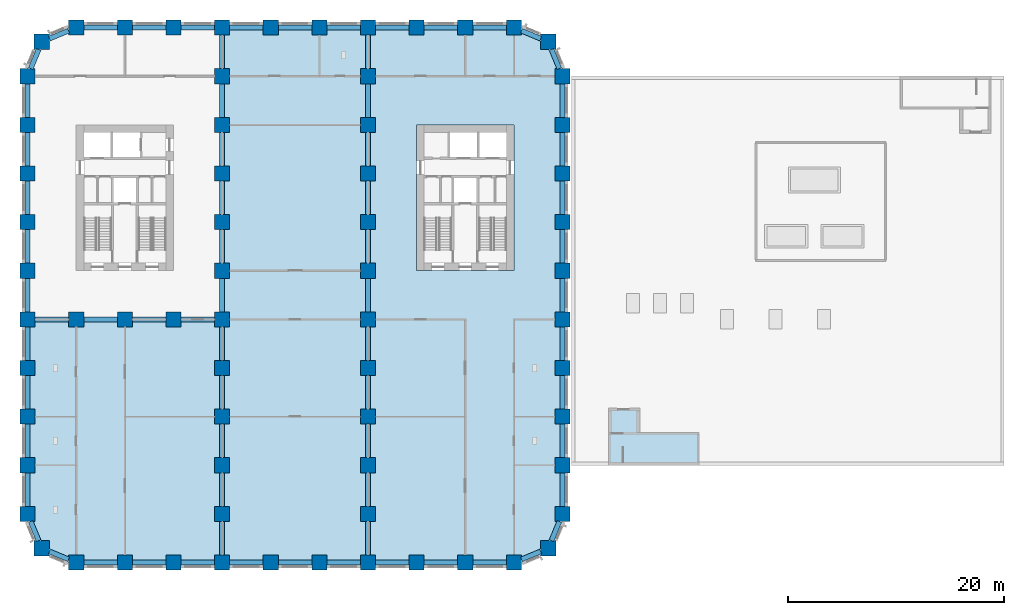
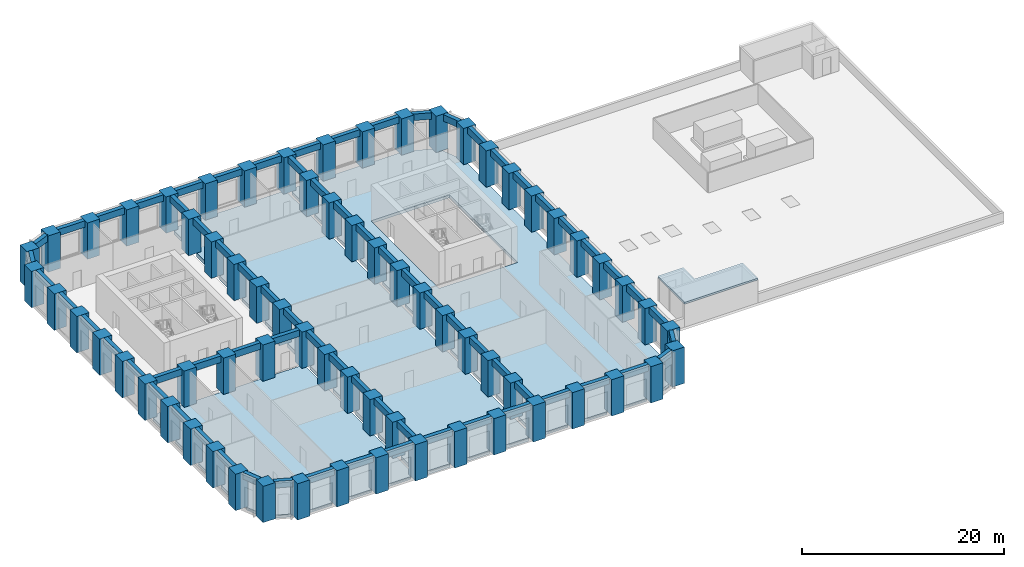
# One storey, part 1 of 14: 70 beams, 67 columns, 4 slabs.
"""IFC4 building model written with IfcOpenShell, lengths in metres."""

import ifcopenshell
import ifcopenshell.guid

model = None  # the IFC model being written
_history = None  # IfcOwnerHistory: only IFC2X3 demands one
_inside = {}  # id of a spatial element -> (the spatial element, [elements in it])
_under = {}  # id of a project, library or spatial element -> (it, [spatial elements below it])
_declared = {}  # id of a project -> (the project, [libraries it declares])
_typed = {}  # id of a type object -> (the type object, [elements of that type])
_made_of = {}  # id of a material, layer set ... -> (it, [elements and type objects made of it])


def new_model(schema):
    """Start an empty IFC model of exactly this schema.

    Asked for "IFC4X3", IfcOpenShell would pick the latest addendum, in which some entities
    have other attributes; the version numbers below select the first issue.
    IFC2X3 requires an IfcOwnerHistory on every rooted entity: one is made here for all.
    """
    global model, _history
    if schema == "IFC4X3":
        model = ifcopenshell.file(schema_version=(4, 3, 0, 0))
    else:
        model = ifcopenshell.file(schema=schema)
    _inside.clear()
    _under.clear()
    _declared.clear()
    _typed.clear()
    _made_of.clear()
    _history = None
    if model.schema == "IFC2X3":
        org = make("IfcOrganization", Name="unknown")
        user = make(
            "IfcPersonAndOrganization",
            ThePerson=make("IfcPerson", FamilyName="unknown"),
            TheOrganization=org,
        )
        app = make(
            "IfcApplication",
            ApplicationDeveloper=org,
            Version="unknown",
            ApplicationFullName="unknown",
            ApplicationIdentifier="unknown",
        )
        _history = make(
            "IfcOwnerHistory",
            OwningUser=user,
            OwningApplication=app,
            ChangeAction="ADDED",
            CreationDate=0,
        )
    return model


def make(cls, **values):
    """One entity of the class cls with the attributes given. An attribute that is None is left unset."""
    return model.create_entity(
        cls, **{name: value for name, value in values.items() if value is not None}
    )


def rooted(cls, **values):
    """An entity with a GlobalId (a new one), such as an element, a storey or a relation."""
    return make(cls, GlobalId=ifcopenshell.guid.new(), OwnerHistory=_history, **values)


def si_unit(unit_type, name, prefix=None):
    """IfcSIUnit, for example si_unit("LENGTHUNIT", "METRE", prefix="MILLI")."""
    return make("IfcSIUnit", UnitType=unit_type, Prefix=prefix, Name=name)


def assignment(units):
    """IfcUnitAssignment: the units of a project."""
    return None if units is None else make("IfcUnitAssignment", Units=units)


def point(xyz):
    """IfcCartesianPoint."""
    return None if xyz is None else make("IfcCartesianPoint", Coordinates=xyz)


def direction(xyz):
    """IfcDirection."""
    return None if xyz is None else make("IfcDirection", DirectionRatios=xyz)


def frame(location, z_axis=None, x_axis=None):
    """IfcAxis2Placement3D, a coordinate frame: its origin and axes. An axis left out is left unset."""
    return make(
        "IfcAxis2Placement3D",
        Location=point(location),
        Axis=direction(z_axis),
        RefDirection=direction(x_axis),
    )


def frame_2d(location, x_axis=None):
    """IfcAxis2Placement2D, a coordinate frame in the plane: its origin and x axis."""
    return make(
        "IfcAxis2Placement2D", Location=point(location), RefDirection=direction(x_axis)
    )


def origin():
    """The frame at (0, 0, 0) with its axes left unset."""
    return frame((0.0, 0.0, 0.0))


def origin_2d():
    """The frame at (0, 0) in the plane with its x axis left unset."""
    return frame_2d((0.0, 0.0))


def place(relative_to, where):
    """IfcLocalPlacement: puts the frame where relative to a parent placement (None: the world)."""
    return make(
        "IfcLocalPlacement", PlacementRelTo=relative_to, RelativePlacement=where
    )


def context(
    kind, dimensions, precision=None, world=None, true_north=None, identifier=None
):
    """IfcGeometricRepresentationContext, for example the 3D "Model" context."""
    return make(
        "IfcGeometricRepresentationContext",
        ContextIdentifier=identifier,
        ContextType=kind,
        CoordinateSpaceDimension=dimensions,
        Precision=precision,
        WorldCoordinateSystem=world,
        TrueNorth=true_north,
    )


def subcontext(parent, identifier, kind, view, scale=None):
    """IfcGeometricRepresentationSubContext, for example "Body" below "Model"."""
    return make(
        "IfcGeometricRepresentationSubContext",
        ContextIdentifier=identifier,
        ContextType=kind,
        ParentContext=parent,
        TargetScale=scale,
        TargetView=view,
    )


def project(units=None, contexts=None):
    """IfcProject with its units and contexts."""
    return rooted(
        "IfcProject",
        Name="project",
        RepresentationContexts=contexts,
        UnitsInContext=assignment(units),
    )


def spatial(cls, under=None, at=None, **own):
    """A site, building, storey or space (cls), placed at a placement, below another one or the project."""
    s = rooted(cls, ObjectPlacement=at, **own)
    if under is not None:
        _under.setdefault(under.id(), (under, []))[1].append(s)
    return s


def polyline(points):
    """IfcPolyline through the points."""
    return make("IfcPolyline", Points=[point(p) for p in points])


def profile(cls, at=None, kind="AREA", **sizes):
    """A parametric profile (cls). Its sizes go by their IFC names, for example OverallWidth=200.0."""
    return make(cls, ProfileType=kind, Position=at, **sizes)


def rectangle(**sizes):
    """IfcRectangleProfileDef."""
    return profile("IfcRectangleProfileDef", **sizes)


def outline(outer, holes=None, kind="AREA"):
    """IfcArbitraryClosedProfileDef: a profile drawn as a closed curve; with holes, ...WithVoids."""
    if holes is None:
        return make("IfcArbitraryClosedProfileDef", ProfileType=kind, OuterCurve=outer)
    return make(
        "IfcArbitraryProfileDefWithVoids",
        ProfileType=kind,
        OuterCurve=outer,
        InnerCurves=holes,
    )


def extrude(swept, where, along, depth):
    """IfcExtrudedAreaSolid: the profile swept, set in the frame where, extruded along a direction by depth."""
    return make(
        "IfcExtrudedAreaSolid",
        SweptArea=swept,
        Position=where,
        ExtrudedDirection=direction(along),
        Depth=depth,
    )


def shape(context_of_items, identifier, shape_type, items):
    """IfcShapeRepresentation: the items that make up one representation, for example the "Body"."""
    return make(
        "IfcShapeRepresentation",
        ContextOfItems=context_of_items,
        RepresentationIdentifier=identifier,
        RepresentationType=shape_type,
        Items=items,
    )


def material(Name=None, Category=None):
    """IfcMaterial."""
    return make("IfcMaterial", Name=Name, Category=Category)


def layer(
    of_material, thickness, ventilated=None, Name=None, Category=None, Priority=None
):
    """IfcMaterialLayer: one layer of a wall or slab, of a material (None: an air gap)."""
    return make(
        "IfcMaterialLayer",
        Material=of_material,
        LayerThickness=thickness,
        IsVentilated=ventilated,
        Name=Name,
        Category=Category,
        Priority=Priority,
    )


def layer_set(layers, Name=None):
    """IfcMaterialLayerSet."""
    return make("IfcMaterialLayerSet", MaterialLayers=layers, LayerSetName=Name)


def material_profile(
    of_material, cross_section, Name=None, Category=None, Priority=None
):
    """IfcMaterialProfile: a cross section and its material."""
    return make(
        "IfcMaterialProfile",
        Name=Name,
        Material=of_material,
        Profile=cross_section,
        Priority=Priority,
        Category=Category,
    )


def profile_set(profiles, Name=None, composite=None):
    """IfcMaterialProfileSet."""
    return make(
        "IfcMaterialProfileSet",
        Name=Name,
        MaterialProfiles=profiles,
        CompositeProfile=composite,
    )


def made_of(thing, what):
    """Note that an element or type object is made of a material, layer set ...; save() writes the relation."""
    if what is not None:
        _made_of.setdefault(what.id(), (what, []))[1].append(thing)
    return thing


def type_object(cls, material=None, **own):
    """A type object (cls), such as IfcWallType, which elements share."""
    return made_of(rooted(cls, **own), material)


def element(
    cls,
    number,
    at=None,
    inside=None,
    cuts=None,
    type_object=None,
    material=None,
    context=None,
    identifier="Body",
    shape_type=None,
    held_by="IfcProductDefinitionShape",
    body=None,
    shapes=None,
    **own,
):
    """One element of the class cls, such as IfcWall. Its Tag is "e" and its number.

    at: its placement. inside: the storey or other place that contains it. cuts: it is an
    opening in that element (IfcRelVoidsElement). A single representation is given by context,
    identifier, shape_type and body (its items); several are given by shapes. held_by: the class
    of the entity that holds the representations. save() writes the other relations.
    """
    e = rooted(cls, Tag="e%d" % number, ObjectPlacement=at, **own)
    if body is not None:
        shapes = [shape(context, identifier, shape_type, body)]
    if shapes is not None:
        e.Representation = make(held_by, Representations=shapes)
    if inside is not None:
        _inside.setdefault(inside.id(), (inside, []))[1].append(e)
    if cuts is not None:
        rooted(
            "IfcRelVoidsElement", RelatingBuildingElement=cuts, RelatedOpeningElement=e
        )
    if type_object is not None:
        _typed.setdefault(type_object.id(), (type_object, []))[1].append(e)
    return made_of(e, material)


def aggregate(whole, parts):
    """IfcRelAggregates: a whole, such as a stair, and the parts it consists of."""
    return rooted("IfcRelAggregates", RelatingObject=whole, RelatedObjects=parts)


def save(model, path):
    """Write the relations noted so far, then the file.

    IfcRelAggregates (storeys below a building ...), IfcRelContainedInSpatialStructure (elements
    in a storey), IfcRelDefinesByType, IfcRelAssociatesMaterial and IfcRelDeclares: one each for
    every whole, place, type object, material and project.
    """
    for whole, parts in _under.values():
        aggregate(whole, parts)
    for where, things in _inside.values():
        rooted(
            "IfcRelContainedInSpatialStructure",
            RelatedElements=things,
            RelatingStructure=where,
        )
    for kind, things in _typed.values():
        rooted("IfcRelDefinesByType", RelatedObjects=things, RelatingType=kind)
    for what, things in _made_of.values():
        rooted("IfcRelAssociatesMaterial", RelatedObjects=things, RelatingMaterial=what)
    for by, libraries in _declared.values():
        rooted("IfcRelDeclares", RelatingContext=by, RelatedDefinitions=libraries)
    model.write(path)


model = new_model("IFC4")

# Units and contexts
model_context = context("Model", 3, precision=1e-05, world=origin(), true_north=direction((0.0, 1.0)))
body_context = subcontext(model_context, "Body", "Model", "MODEL_VIEW")
ifc_project = project(units=[si_unit("LENGTHUNIT", "METRE"), si_unit("AREAUNIT", "SQUARE_METRE"), si_unit("VOLUMEUNIT", "CUBIC_METRE"), si_unit("PLANEANGLEUNIT", "RADIAN"), si_unit("MASSUNIT", "GRAM", prefix="KILO")], contexts=[model_context])

# Site, building, storey
site_placement = place(None, origin())
site = spatial("IfcSite", under=ifc_project, at=site_placement, CompositionType="ELEMENT")
building_placement = place(site_placement, origin())
building = spatial("IfcBuilding", under=site, at=building_placement, Name="Girih Gate Residences", CompositionType="ELEMENT")
storey_placement = place(building_placement, frame((0.0, 0.0, 26.0)))
storey = spatial("IfcBuildingStorey", under=building, at=storey_placement, Name="L05", CompositionType="ELEMENT", Elevation=26.0)

# Columns
ifc_material_1 = material(Name="Concrete C80/95", Category="concrete")
ifc_material_profile_1 = material_profile(ifc_material_1, rectangle(XDim=1.39990234375, YDim=1.39990234375, at=origin_2d()))
ifc_profile_set_1 = profile_set([ifc_material_profile_1], Name="Concrete C80/95")
column_type = type_object("IfcColumnType", Name="Pier RC 1400x1400 Concrete C80/95", PredefinedType="COLUMN", material=ifc_profile_set_1)
for number, where, z_axis, x_axis, name in (
    (1, (4.5, 0.0, 0.0), (0.0, 0.0, 1.0), (1.0, 0.0, 0.0), "Pier P2A L05"),
    (2, (9.0, 0.0, 0.0), (0.0, 0.0, 1.0), (1.0, 0.0, 0.0), "Pier P3A L05"),
    (3, (13.5, 0.0, 0.0), (0.0, 0.0, 1.0), (1.0, 0.0, 0.0), "Pier P4A L05"),
    (4, (18.0, 0.0, 0.0), (0.0, 0.0, 1.0), (1.0, 0.0, 0.0), "Pier P5A L05"),
    (5, (22.5, 0.0, 0.0), (0.0, 0.0, 1.0), (1.0, 0.0, 0.0), "Pier P6A L05"),
    (6, (27.0, 0.0, 0.0), (0.0, 0.0, 1.0), (1.0, 0.0, 0.0), "Pier P7A L05"),
    (7, (31.5, 0.0, 0.0), (0.0, 0.0, 1.0), (1.0, 0.0, 0.0), "Pier P8A L05"),
    (8, (36.0, 0.0, 0.0), (0.0, 0.0, 1.0), (1.0, 0.0, 0.0), "Pier P9A L05"),
    (9, (40.5, 0.0, 0.0), (0.0, 0.0, 1.0), (1.0, 0.0, 0.0), "Pier P10A L05"),
    (10, (45.0, 0.0, 0.0), (0.0, 0.0, 1.0), (1.0, 0.0, 0.0), "Pier P11A L05"),
    (11, (1.318115234375, 1.318115234375, 0.0), (0.0, 0.0, 1.0), (1.0, 0.0, 0.0), "Pier P1ANE L05"),
    (12, (48.181884765625, 1.318115234375, 0.0), (0.0, 0.0, 1.0), (1.0, 0.0, 0.0), "Pier P12ANW L05"),
    (13, (0.0, 4.5, 0.0), (0.0, 0.0, 1.0), (1.0, 0.0, 0.0), "Pier P1B L05"),
    (14, (18.0, 4.5, 0.0), (0.0, 0.0, 1.0), (1.0, 0.0, 0.0), "Pier P5B L05"),
    (15, (31.5, 4.5, 0.0), (0.0, 0.0, 1.0), (1.0, 0.0, 0.0), "Pier P8B L05"),
    (16, (49.5, 4.5, 0.0), (0.0, 0.0, 1.0), (1.0, 0.0, 0.0), "Pier P12B L05"),
    (17, (0.0, 9.0, 0.0), (0.0, 0.0, 1.0), (1.0, 0.0, 0.0), "Pier P1C L05"),
    (18, (18.0, 9.0, 0.0), (0.0, 0.0, 1.0), (1.0, 0.0, 0.0), "Pier P5C L05"),
    (19, (31.5, 9.0, 0.0), (0.0, 0.0, 1.0), (1.0, 0.0, 0.0), "Pier P8C L05"),
    (20, (49.5, 9.0, 0.0), (0.0, 0.0, 1.0), (1.0, 0.0, 0.0), "Pier P12C L05"),
    (21, (0.0, 13.5, 0.0), (0.0, 0.0, 1.0), (1.0, 0.0, 0.0), "Pier P1D L05"),
    (22, (18.0, 13.5, 0.0), (0.0, 0.0, 1.0), (1.0, 0.0, 0.0), "Pier P5D L05"),
    (23, (31.5, 13.5, 0.0), (0.0, 0.0, 1.0), (1.0, 0.0, 0.0), "Pier P8D L05"),
    (24, (49.5, 13.5, 0.0), (0.0, 0.0, 1.0), (1.0, 0.0, 0.0), "Pier P12D L05"),
    (25, (0.0, 18.0, 0.0), (0.0, 0.0, 1.0), (1.0, 0.0, 0.0), "Pier P1E L05"),
    (26, (18.0, 18.0, 0.0), (0.0, 0.0, 1.0), (1.0, 0.0, 0.0), "Pier P5E L05"),
    (27, (31.5, 18.0, 0.0), (0.0, 0.0, 1.0), (1.0, 0.0, 0.0), "Pier P8E L05"),
    (28, (49.5, 18.0, 0.0), (0.0, 0.0, 1.0), (1.0, 0.0, 0.0), "Pier P12E L05"),
    (29, (0.0, 22.5, 0.0), (0.0, 0.0, 1.0), (1.0, 0.0, 0.0), "Pier P1F L05"),
    (30, (4.5, 22.5, 0.0), (0.0, 0.0, 1.0), (1.0, 0.0, 0.0), "Pier P2F L05"),
    (31, (9.0, 22.5, 0.0), (0.0, 0.0, 1.0), (1.0, 0.0, 0.0), "Pier P3F L05"),
    (32, (13.5, 22.5, 0.0), (0.0, 0.0, 1.0), (1.0, 0.0, 0.0), "Pier P4F L05"),
    (33, (18.0, 22.5, 0.0), (0.0, 0.0, 1.0), (1.0, 0.0, 0.0), "Pier P5F L05"),
    (34, (31.5, 22.5, 0.0), (0.0, 0.0, 1.0), (1.0, 0.0, 0.0), "Pier P8F L05"),
    (35, (49.5, 22.5, 0.0), (0.0, 0.0, 1.0), (1.0, 0.0, 0.0), "Pier P12F L05"),
    (36, (0.0, 27.0, 0.0), (0.0, 0.0, 1.0), (1.0, 0.0, 0.0), "Pier P1G L05"),
    (37, (18.0, 27.0, 0.0), (0.0, 0.0, 1.0), (1.0, 0.0, 0.0), "Pier P5G L05"),
    (38, (31.5, 27.0, 0.0), (0.0, 0.0, 1.0), (1.0, 0.0, 0.0), "Pier P8G L05"),
    (39, (49.5, 27.0, 0.0), (0.0, 0.0, 1.0), (1.0, 0.0, 0.0), "Pier P12G L05"),
    (40, (0.0, 31.5, 0.0), (0.0, 0.0, 1.0), (1.0, 0.0, 0.0), "Pier P1H L05"),
    (41, (18.0, 31.5, 0.0), (0.0, 0.0, 1.0), (1.0, 0.0, 0.0), "Pier P5H L05"),
    (42, (31.5, 31.5, 0.0), (0.0, 0.0, 1.0), (1.0, 0.0, 0.0), "Pier P8H L05"),
    (43, (49.5, 31.5, 0.0), (0.0, 0.0, 1.0), (1.0, 0.0, 0.0), "Pier P12H L05"),
    (44, (0.0, 36.0, 0.0), (0.0, 0.0, 1.0), (1.0, 0.0, 0.0), "Pier P1I L05"),
    (45, (18.0, 36.0, 0.0), (0.0, 0.0, 1.0), (1.0, 0.0, 0.0), "Pier P5I L05"),
    (46, (31.5, 36.0, 0.0), (0.0, 0.0, 1.0), (1.0, 0.0, 0.0), "Pier P8I L05"),
    (47, (49.5, 36.0, 0.0), (0.0, 0.0, 1.0), (1.0, 0.0, 0.0), "Pier P12I L05"),
    (48, (0.0, 40.5, 0.0), (0.0, 0.0, 1.0), (1.0, 0.0, 0.0), "Pier P1J L05"),
    (49, (18.0, 40.5, 0.0), (0.0, 0.0, 1.0), (1.0, 0.0, 0.0), "Pier P5J L05"),
    (50, (31.5, 40.5, 0.0), (0.0, 0.0, 1.0), (1.0, 0.0, 0.0), "Pier P8J L05"),
    (51, (49.5, 40.5, 0.0), (0.0, 0.0, 1.0), (1.0, 0.0, 0.0), "Pier P12J L05"),
    (52, (0.0, 45.0, 0.0), (0.0, 0.0, 1.0), (1.0, 0.0, 0.0), "Pier P1K L05"),
    (53, (18.0, 45.0, 0.0), (0.0, 0.0, 1.0), (1.0, 0.0, 0.0), "Pier P5K L05"),
    (54, (31.5, 45.0, 0.0), (0.0, 0.0, 1.0), (1.0, 0.0, 0.0), "Pier P8K L05"),
    (55, (49.5, 45.0, 0.0), (0.0, 0.0, 1.0), (1.0, 0.0, 0.0), "Pier P12K L05"),
    (56, (1.318115234375, 48.181884765625, 0.0), (0.0, 0.0, 1.0), (1.0, 0.0, 0.0), "Pier P1LSE L05"),
    (57, (48.181884765625, 48.181884765625, 0.0), (0.0, 0.0, 1.0), (1.0, 0.0, 0.0), "Pier P12LSW L05"),
    (58, (4.5, 49.5, 0.0), (0.0, 0.0, 1.0), (1.0, 0.0, 0.0), "Pier P2L L05"),
    (59, (9.0, 49.5, 0.0), (0.0, 0.0, 1.0), (1.0, 0.0, 0.0), "Pier P3L L05"),
    (60, (13.5, 49.5, 0.0), (0.0, 0.0, 1.0), (1.0, 0.0, 0.0), "Pier P4L L05"),
    (61, (18.0, 49.5, 0.0), (0.0, 0.0, 1.0), (1.0, 0.0, 0.0), "Pier P5L L05"),
    (62, (22.5, 49.5, 0.0), (0.0, 0.0, 1.0), (1.0, 0.0, 0.0), "Pier P6L L05"),
    (63, (27.0, 49.5, 0.0), (0.0, 0.0, 1.0), (1.0, 0.0, 0.0), "Pier P7L L05"),
    (64, (31.5, 49.5, 0.0), (0.0, 0.0, 1.0), (1.0, 0.0, 0.0), "Pier P8L L05"),
    (65, (36.0, 49.5, 0.0), (0.0, 0.0, 1.0), (1.0, 0.0, 0.0), "Pier P9L L05"),
    (66, (40.5, 49.5, 0.0), (0.0, 0.0, 1.0), (1.0, 0.0, 0.0), "Pier P10L L05"),
    (67, (45.0, 49.5, 0.0), (0.0, 0.0, 1.0), (1.0, 0.0, 0.0), "Pier P11L L05"),
):
    element("IfcColumn", number, at=place(storey_placement, frame(where, z_axis=z_axis, x_axis=x_axis)), inside=storey, type_object=column_type, Name=name, PredefinedType="COLUMN", context=body_context, shape_type="SweptSolid", body=[
        extrude(rectangle(XDim=1.39990234375, YDim=1.39990234375, at=origin_2d()), origin(), (0.0, 0.0, 1.0), 4.39990234375),
    ])

# Beams
ifc_material_2 = material(Name="Concrete C60/75", Category="concrete")
ifc_material_profile_2 = material_profile(ifc_material_2, rectangle(XDim=0.449951171875, YDim=0.800048828125, at=origin_2d()))
ifc_profile_set_2 = profile_set([ifc_material_profile_2], Name="Concrete C60/75")
beam_type = type_object("IfcBeamType", Name="Spandrel girder RC 450x800 Concrete C60/75", PredefinedType="BEAM", material=ifc_profile_set_2)
for number, where, z_axis, x_axis, name in (
    (68, (0.2900390625, 3.800048828125, 4.0), (0.382646180293, -0.923894961945, 0.0), (0.923894961945, 0.382646180293, 0.0), "Spandrel girder SP-P1B-P1ANE L05"),
    (69, (2.01806640625, 1.028076171875, 4.0), (0.923894961945, -0.382646180293, 0.0), (0.382646180293, 0.923894961945, 0.0), "Spandrel girder SP-P1ANE-P2A L05"),
):
    element("IfcBeam", number, at=place(storey_placement, frame(where, z_axis=z_axis, x_axis=x_axis)), inside=storey, type_object=beam_type, Name=name, PredefinedType="BEAM", context=body_context, shape_type="SweptSolid", body=[
        extrude(rectangle(XDim=0.449951171875, YDim=0.800048828125, at=origin_2d()), origin(), (0.0, 0.0, 1.0), 1.9287109375),
    ])
for number, where, z_axis, x_axis, name in (
    (70, (5.199951171875, 0.0, 4.0), (1.0, 0.0, 0.0), (0.0, 1.0, 0.0), "Spandrel girder SP-P2A-P3A L05"),
    (71, (9.699951171875, 0.0, 4.0), (1.0, 0.0, 0.0), (0.0, 1.0, 0.0), "Spandrel girder SP-P3A-P4A L05"),
    (72, (14.199951171875, 0.0, 4.0), (1.0, 0.0, 0.0), (0.0, 1.0, 0.0), "Spandrel girder SP-P4A-P5A L05"),
    (73, (18.699951171875, 0.0, 4.0), (1.0, 0.0, 0.0), (0.0, 1.0, 0.0), "Spandrel girder SP-P5A-P6A L05"),
    (74, (23.199951171875, 0.0, 4.0), (1.0, 0.0, 0.0), (0.0, 1.0, 0.0), "Spandrel girder SP-P6A-P7A L05"),
    (75, (27.699951171875, 0.0, 4.0), (1.0, 0.0, 0.0), (0.0, 1.0, 0.0), "Spandrel girder SP-P7A-P8A L05"),
    (76, (32.199951171875, 0.0, 4.0), (1.0, 0.0, 0.0), (0.0, 1.0, 0.0), "Spandrel girder SP-P8A-P9A L05"),
    (77, (36.699951171875, 0.0, 4.0), (1.0, 0.0, 0.0), (0.0, 1.0, 0.0), "Spandrel girder SP-P9A-P10A L05"),
    (78, (41.199951171875, 0.0, 4.0), (1.0, 0.0, 0.0), (0.0, 1.0, 0.0), "Spandrel girder SP-P10A-P11A L05"),
):
    element("IfcBeam", number, at=place(storey_placement, frame(where, z_axis=z_axis, x_axis=x_axis)), inside=storey, type_object=beam_type, Name=name, PredefinedType="BEAM", context=body_context, shape_type="SweptSolid", body=[
        extrude(rectangle(XDim=0.449951171875, YDim=0.800048828125, at=origin_2d()), origin(), (0.0, 0.0, 1.0), 3.10009765625),
    ])
for number, where, z_axis, x_axis, name in (
    (79, (45.699951171875, 0.2900390625, 4.0), (0.923894961945, 0.382646180293, 0.0), (-0.382646180293, 0.923894961945, 0.0), "Spandrel girder SP-P11A-P12ANW L05"),
    (80, (48.471923828125, 2.01806640625, 4.0), (0.382646180293, 0.923894961945, 0.0), (-0.923894961945, 0.382646180293, 0.0), "Spandrel girder SP-P12ANW-P12B L05"),
):
    element("IfcBeam", number, at=place(storey_placement, frame(where, z_axis=z_axis, x_axis=x_axis)), inside=storey, type_object=beam_type, Name=name, PredefinedType="BEAM", context=body_context, shape_type="SweptSolid", body=[
        extrude(rectangle(XDim=0.449951171875, YDim=0.800048828125, at=origin_2d()), origin(), (0.0, 0.0, 1.0), 1.9287109375),
    ])
for number, where, z_axis, x_axis, name in (
    (81, (49.5, 5.199951171875, 4.0), (0.0, 1.0, 0.0), (-1.0, 0.0, 0.0), "Spandrel girder SP-P12B-P12C L05"),
    (82, (49.5, 9.699951171875, 4.0), (0.0, 1.0, 0.0), (-1.0, 0.0, 0.0), "Spandrel girder SP-P12C-P12D L05"),
    (83, (49.5, 14.199951171875, 4.0), (0.0, 1.0, 0.0), (-1.0, 0.0, 0.0), "Spandrel girder SP-P12D-P12E L05"),
    (84, (49.5, 18.699951171875, 4.0), (0.0, 1.0, 0.0), (-1.0, 0.0, 0.0), "Spandrel girder SP-P12E-P12F L05"),
    (85, (49.5, 23.199951171875, 4.0), (0.0, 1.0, 0.0), (-1.0, 0.0, 0.0), "Spandrel girder SP-P12F-P12G L05"),
    (86, (49.5, 27.699951171875, 4.0), (0.0, 1.0, 0.0), (-1.0, 0.0, 0.0), "Spandrel girder SP-P12G-P12H L05"),
    (87, (49.5, 32.199951171875, 4.0), (0.0, 1.0, 0.0), (-1.0, 0.0, 0.0), "Spandrel girder SP-P12H-P12I L05"),
    (88, (49.5, 36.699951171875, 4.0), (0.0, 1.0, 0.0), (-1.0, 0.0, 0.0), "Spandrel girder SP-P12I-P12J L05"),
    (89, (49.5, 41.199951171875, 4.0), (0.0, 1.0, 0.0), (-1.0, 0.0, 0.0), "Spandrel girder SP-P12J-P12K L05"),
):
    element("IfcBeam", number, at=place(storey_placement, frame(where, z_axis=z_axis, x_axis=x_axis)), inside=storey, type_object=beam_type, Name=name, PredefinedType="BEAM", context=body_context, shape_type="SweptSolid", body=[
        extrude(rectangle(XDim=0.449951171875, YDim=0.800048828125, at=origin_2d()), origin(), (0.0, 0.0, 1.0), 3.10009765625),
    ])
for number, where, z_axis, x_axis, name in (
    (90, (49.2099609375, 45.699951171875, 4.0), (-0.382646180293, 0.923894961945, 0.0), (-0.923894961945, -0.382646180293, 0.0), "Spandrel girder SP-P12K-P12LSW L05"),
    (91, (47.48193359375, 48.471923828125, 4.0), (-0.923894961945, 0.382646180293, 0.0), (-0.382646180293, -0.923894961945, 0.0), "Spandrel girder SP-P12LSW-P11L L05"),
):
    element("IfcBeam", number, at=place(storey_placement, frame(where, z_axis=z_axis, x_axis=x_axis)), inside=storey, type_object=beam_type, Name=name, PredefinedType="BEAM", context=body_context, shape_type="SweptSolid", body=[
        extrude(rectangle(XDim=0.449951171875, YDim=0.800048828125, at=origin_2d()), origin(), (0.0, 0.0, 1.0), 1.9287109375),
    ])
for number, where, z_axis, x_axis, name in (
    (92, (44.300048828125, 49.5, 4.0), (-1.0, 0.0, 0.0), (0.0, -1.0, 0.0), "Spandrel girder SP-P11L-P10L L05"),
    (93, (39.800048828125, 49.5, 4.0), (-1.0, 0.0, 0.0), (0.0, -1.0, 0.0), "Spandrel girder SP-P10L-P9L L05"),
    (94, (35.300048828125, 49.5, 4.0), (-1.0, 0.0, 0.0), (0.0, -1.0, 0.0), "Spandrel girder SP-P9L-P8L L05"),
    (95, (30.800048828125, 49.5, 4.0), (-1.0, 0.0, 0.0), (0.0, -1.0, 0.0), "Spandrel girder SP-P8L-P7L L05"),
    (96, (26.300048828125, 49.5, 4.0), (-1.0, 0.0, 0.0), (0.0, -1.0, 0.0), "Spandrel girder SP-P7L-P6L L05"),
    (97, (21.800048828125, 49.5, 4.0), (-1.0, 0.0, 0.0), (0.0, -1.0, 0.0), "Spandrel girder SP-P6L-P5L L05"),
    (98, (17.300048828125, 49.5, 4.0), (-1.0, 0.0, 0.0), (0.0, -1.0, 0.0), "Spandrel girder SP-P5L-P4L L05"),
    (99, (12.800048828125, 49.5, 4.0), (-1.0, 0.0, 0.0), (0.0, -1.0, 0.0), "Spandrel girder SP-P4L-P3L L05"),
    (100, (8.300048828125, 49.5, 4.0), (-1.0, 0.0, 0.0), (0.0, -1.0, 0.0), "Spandrel girder SP-P3L-P2L L05"),
):
    element("IfcBeam", number, at=place(storey_placement, frame(where, z_axis=z_axis, x_axis=x_axis)), inside=storey, type_object=beam_type, Name=name, PredefinedType="BEAM", context=body_context, shape_type="SweptSolid", body=[
        extrude(rectangle(XDim=0.449951171875, YDim=0.800048828125, at=origin_2d()), origin(), (0.0, 0.0, 1.0), 3.10009765625),
    ])
for number, where, z_axis, x_axis, name in (
    (101, (3.800048828125, 49.2099609375, 4.0), (-0.923894961945, -0.382646180293, 0.0), (0.382646180293, -0.923894961945, 0.0), "Spandrel girder SP-P2L-P1LSE L05"),
    (102, (1.028076171875, 47.48193359375, 4.0), (-0.382646180293, -0.923894961945, 0.0), (0.923894961945, -0.382646180293, 0.0), "Spandrel girder SP-P1LSE-P1K L05"),
):
    element("IfcBeam", number, at=place(storey_placement, frame(where, z_axis=z_axis, x_axis=x_axis)), inside=storey, type_object=beam_type, Name=name, PredefinedType="BEAM", context=body_context, shape_type="SweptSolid", body=[
        extrude(rectangle(XDim=0.449951171875, YDim=0.800048828125, at=origin_2d()), origin(), (0.0, 0.0, 1.0), 1.9287109375),
    ])
for number, where, z_axis, x_axis, name in (
    (103, (0.0, 44.300048828125, 4.0), (0.0, -1.0, 0.0), (1.0, 0.0, 0.0), "Spandrel girder SP-P1K-P1J L05"),
    (104, (0.0, 39.800048828125, 4.0), (0.0, -1.0, 0.0), (1.0, 0.0, 0.0), "Spandrel girder SP-P1J-P1I L05"),
    (105, (0.0, 35.300048828125, 4.0), (0.0, -1.0, 0.0), (1.0, 0.0, 0.0), "Spandrel girder SP-P1I-P1H L05"),
    (106, (0.0, 30.800048828125, 4.0), (0.0, -1.0, 0.0), (1.0, 0.0, 0.0), "Spandrel girder SP-P1H-P1G L05"),
    (107, (0.0, 26.300048828125, 4.0), (0.0, -1.0, 0.0), (1.0, 0.0, 0.0), "Spandrel girder SP-P1G-P1F L05"),
    (108, (0.0, 21.800048828125, 4.0), (0.0, -1.0, 0.0), (1.0, 0.0, 0.0), "Spandrel girder SP-P1F-P1E L05"),
    (109, (0.0, 17.300048828125, 4.0), (0.0, -1.0, 0.0), (1.0, 0.0, 0.0), "Spandrel girder SP-P1E-P1D L05"),
    (110, (0.0, 12.800048828125, 4.0), (0.0, -1.0, 0.0), (1.0, 0.0, 0.0), "Spandrel girder SP-P1D-P1C L05"),
    (111, (0.0, 8.300048828125, 4.0), (0.0, -1.0, 0.0), (1.0, 0.0, 0.0), "Spandrel girder SP-P1C-P1B L05"),
    (112, (18.0, 0.699951171875, 4.0), (0.0, 1.0, 0.0), (-1.0, 0.0, 0.0), "Spandrel girder SP-P5A-P5B L05"),
    (113, (18.0, 5.199951171875, 4.0), (0.0, 1.0, 0.0), (-1.0, 0.0, 0.0), "Spandrel girder SP-P5B-P5C L05"),
    (114, (18.0, 9.699951171875, 4.0), (0.0, 1.0, 0.0), (-1.0, 0.0, 0.0), "Spandrel girder SP-P5C-P5D L05"),
    (115, (18.0, 14.199951171875, 4.0), (0.0, 1.0, 0.0), (-1.0, 0.0, 0.0), "Spandrel girder SP-P5D-P5E L05"),
    (116, (18.0, 18.699951171875, 4.0), (0.0, 1.0, 0.0), (-1.0, 0.0, 0.0), "Spandrel girder SP-P5E-P5F L05"),
    (117, (18.0, 23.199951171875, 4.0), (0.0, 1.0, 0.0), (-1.0, 0.0, 0.0), "Spandrel girder SP-P5F-P5G L05"),
    (118, (18.0, 27.699951171875, 4.0), (0.0, 1.0, 0.0), (-1.0, 0.0, 0.0), "Spandrel girder SP-P5G-P5H L05"),
    (119, (18.0, 32.199951171875, 4.0), (0.0, 1.0, 0.0), (-1.0, 0.0, 0.0), "Spandrel girder SP-P5H-P5I L05"),
    (120, (18.0, 36.699951171875, 4.0), (0.0, 1.0, 0.0), (-1.0, 0.0, 0.0), "Spandrel girder SP-P5I-P5J L05"),
    (121, (18.0, 41.199951171875, 4.0), (0.0, 1.0, 0.0), (-1.0, 0.0, 0.0), "Spandrel girder SP-P5J-P5K L05"),
    (122, (18.0, 45.699951171875, 4.0), (0.0, 1.0, 0.0), (-1.0, 0.0, 0.0), "Spandrel girder SP-P5K-P5L L05"),
    (123, (31.5, 0.699951171875, 4.0), (0.0, 1.0, 0.0), (-1.0, 0.0, 0.0), "Spandrel girder SP-P8A-P8B L05"),
    (124, (31.5, 5.199951171875, 4.0), (0.0, 1.0, 0.0), (-1.0, 0.0, 0.0), "Spandrel girder SP-P8B-P8C L05"),
    (125, (31.5, 9.699951171875, 4.0), (0.0, 1.0, 0.0), (-1.0, 0.0, 0.0), "Spandrel girder SP-P8C-P8D L05"),
    (126, (31.5, 14.199951171875, 4.0), (0.0, 1.0, 0.0), (-1.0, 0.0, 0.0), "Spandrel girder SP-P8D-P8E L05"),
    (127, (31.5, 18.699951171875, 4.0), (0.0, 1.0, 0.0), (-1.0, 0.0, 0.0), "Spandrel girder SP-P8E-P8F L05"),
    (128, (31.5, 23.199951171875, 4.0), (0.0, 1.0, 0.0), (-1.0, 0.0, 0.0), "Spandrel girder SP-P8F-P8G L05"),
    (129, (31.5, 27.699951171875, 4.0), (0.0, 1.0, 0.0), (-1.0, 0.0, 0.0), "Spandrel girder SP-P8G-P8H L05"),
    (130, (31.5, 32.199951171875, 4.0), (0.0, 1.0, 0.0), (-1.0, 0.0, 0.0), "Spandrel girder SP-P8H-P8I L05"),
    (131, (31.5, 36.699951171875, 4.0), (0.0, 1.0, 0.0), (-1.0, 0.0, 0.0), "Spandrel girder SP-P8I-P8J L05"),
    (132, (31.5, 41.199951171875, 4.0), (0.0, 1.0, 0.0), (-1.0, 0.0, 0.0), "Spandrel girder SP-P8J-P8K L05"),
    (133, (31.5, 45.699951171875, 4.0), (0.0, 1.0, 0.0), (-1.0, 0.0, 0.0), "Spandrel girder SP-P8K-P8L L05"),
    (134, (0.699951171875, 22.5, 4.0), (1.0, 0.0, 0.0), (0.0, 1.0, 0.0), "Spandrel girder SP-P1F-P2F L05"),
    (135, (5.199951171875, 22.5, 4.0), (1.0, 0.0, 0.0), (0.0, 1.0, 0.0), "Spandrel girder SP-P2F-P3F L05"),
    (136, (9.699951171875, 22.5, 4.0), (1.0, 0.0, 0.0), (0.0, 1.0, 0.0), "Spandrel girder SP-P3F-P4F L05"),
    (137, (14.199951171875, 22.5, 4.0), (1.0, 0.0, 0.0), (0.0, 1.0, 0.0), "Spandrel girder SP-P4F-P5F L05"),
):
    element("IfcBeam", number, at=place(storey_placement, frame(where, z_axis=z_axis, x_axis=x_axis)), inside=storey, type_object=beam_type, Name=name, PredefinedType="BEAM", context=body_context, shape_type="SweptSolid", body=[
        extrude(rectangle(XDim=0.449951171875, YDim=0.800048828125, at=origin_2d()), origin(), (0.0, 0.0, 1.0), 3.10009765625),
    ])

# Slabs
ifc_material_3 = material(Name="Concrete C40/50", Category="concrete")
ifc_layer_1 = layer(ifc_material_3, 0.35009765625)
ifc_layer_set_1 = layer_set([ifc_layer_1], Name="Floor slab PT 350 Concrete C40/50")
slab_type_1 = type_object("IfcSlabType", Name="Floor slab PT 350 Concrete C40/50", PredefinedType="FLOOR", material=ifc_layer_set_1)
slab_1_placement = place(storey_placement, frame((0.0, 0.0, -0.35009765625)))
element("IfcSlab", 138, at=slab_1_placement, inside=storey, type_object=slab_type_1, Name="Floor slab L05 0", PredefinedType="FLOOR", context=body_context, shape_type="SweptSolid", body=[
    extrude(outline(polyline([(0.22509765625, 8.300048828125), (0.22509765625, 5.199951171875), (0.699951171875, 5.199951171875), (0.699951171875, 3.800048828125), (0.533447265625, 3.800048828125), (1.271728515625, 2.01806640625), (2.01806640625, 2.01806640625), (2.01806640625, 1.271728515625), (3.800048828125, 0.533447265625), (3.800048828125, 0.699951171875), (5.199951171875, 0.699951171875), (5.199951171875, 0.22509765625), (8.300048828125, 0.22509765625), (8.300048828125, 0.699951171875), (9.699951171875, 0.699951171875), (9.699951171875, 0.22509765625), (12.800048828125, 0.22509765625), (12.800048828125, 0.699951171875), (14.199951171875, 0.699951171875), (14.199951171875, 0.22509765625), (17.300048828125, 0.22509765625), (17.300048828125, 0.699951171875), (17.77490234375, 0.699951171875), (17.77490234375, 3.800048828125), (17.300048828125, 3.800048828125), (17.300048828125, 5.199951171875), (17.77490234375, 5.199951171875), (17.77490234375, 8.300048828125), (17.300048828125, 8.300048828125), (17.300048828125, 9.699951171875), (17.77490234375, 9.699951171875), (17.77490234375, 12.800048828125), (17.300048828125, 12.800048828125), (17.300048828125, 14.199951171875), (17.77490234375, 14.199951171875), (17.77490234375, 17.300048828125), (17.300048828125, 17.300048828125), (17.300048828125, 18.699951171875), (17.77490234375, 18.699951171875), (17.77490234375, 21.800048828125), (17.300048828125, 21.800048828125), (17.300048828125, 22.27490234375), (14.199951171875, 22.27490234375), (14.199951171875, 21.800048828125), (12.800048828125, 21.800048828125), (12.800048828125, 22.27490234375), (9.699951171875, 22.27490234375), (9.699951171875, 21.800048828125), (8.300048828125, 21.800048828125), (8.300048828125, 22.27490234375), (5.199951171875, 22.27490234375), (5.199951171875, 21.800048828125), (3.800048828125, 21.800048828125), (3.800048828125, 22.27490234375), (0.699951171875, 22.27490234375), (0.699951171875, 21.800048828125), (0.22509765625, 21.800048828125), (0.22509765625, 18.699951171875), (0.699951171875, 18.699951171875), (0.699951171875, 17.300048828125), (0.22509765625, 17.300048828125), (0.22509765625, 14.199951171875), (0.699951171875, 14.199951171875), (0.699951171875, 12.800048828125), (0.22509765625, 12.800048828125), (0.22509765625, 9.699951171875), (0.699951171875, 9.699951171875), (0.699951171875, 8.300048828125), (0.22509765625, 8.300048828125)])), origin(), (0.0, 0.0, 1.0), 0.35009765625),
])
slab_2_placement = place(storey_placement, frame((0.0, 0.0, -0.35009765625)))
element("IfcSlab", 139, at=slab_2_placement, inside=storey, type_object=slab_type_1, Name="Floor slab L05 1", PredefinedType="FLOOR", context=body_context, shape_type="SweptSolid", body=[
    extrude(outline(polyline([(35.300048828125, 49.27490234375), (32.199951171875, 49.27490234375), (32.199951171875, 48.800048828125), (31.72509765625, 48.800048828125), (31.72509765625, 45.699951171875), (32.199951171875, 45.699951171875), (32.199951171875, 44.300048828125), (31.72509765625, 44.300048828125), (31.72509765625, 41.199951171875), (32.199951171875, 41.199951171875), (32.199951171875, 39.800048828125), (31.72509765625, 39.800048828125), (31.72509765625, 36.699951171875), (32.199951171875, 36.699951171875), (32.199951171875, 35.300048828125), (31.72509765625, 35.300048828125), (31.72509765625, 32.199951171875), (32.199951171875, 32.199951171875), (32.199951171875, 30.800048828125), (31.72509765625, 30.800048828125), (31.72509765625, 27.699951171875), (32.199951171875, 27.699951171875), (32.199951171875, 26.300048828125), (31.72509765625, 26.300048828125), (31.72509765625, 23.199951171875), (32.199951171875, 23.199951171875), (32.199951171875, 21.800048828125), (31.72509765625, 21.800048828125), (31.72509765625, 18.699951171875), (32.199951171875, 18.699951171875), (32.199951171875, 17.300048828125), (31.72509765625, 17.300048828125), (31.72509765625, 14.199951171875), (32.199951171875, 14.199951171875), (32.199951171875, 12.800048828125), (31.72509765625, 12.800048828125), (31.72509765625, 9.699951171875), (32.199951171875, 9.699951171875), (32.199951171875, 8.300048828125), (31.72509765625, 8.300048828125), (31.72509765625, 5.199951171875), (32.199951171875, 5.199951171875), (32.199951171875, 3.800048828125), (31.72509765625, 3.800048828125), (31.72509765625, 0.699951171875), (32.199951171875, 0.699951171875), (32.199951171875, 0.22509765625), (35.300048828125, 0.22509765625), (35.300048828125, 0.699951171875), (36.699951171875, 0.699951171875), (36.699951171875, 0.22509765625), (39.800048828125, 0.22509765625), (39.800048828125, 0.699951171875), (41.199951171875, 0.699951171875), (41.199951171875, 0.22509765625), (44.300048828125, 0.22509765625), (44.300048828125, 0.699951171875), (45.699951171875, 0.699951171875), (45.699951171875, 0.533447265625), (47.48193359375, 1.271728515625), (47.48193359375, 2.01806640625), (48.228271484375, 2.01806640625), (48.966552734375, 3.800048828125), (48.800048828125, 3.800048828125), (48.800048828125, 5.199951171875), (49.27490234375, 5.199951171875), (49.27490234375, 8.300048828125), (48.800048828125, 8.300048828125), (48.800048828125, 9.699951171875), (49.27490234375, 9.699951171875), (49.27490234375, 12.800048828125), (48.800048828125, 12.800048828125), (48.800048828125, 14.199951171875), (49.27490234375, 14.199951171875), (49.27490234375, 17.300048828125), (48.800048828125, 17.300048828125), (48.800048828125, 18.699951171875), (49.27490234375, 18.699951171875), (49.27490234375, 21.800048828125), (48.800048828125, 21.800048828125), (48.800048828125, 23.199951171875), (49.27490234375, 23.199951171875), (49.27490234375, 26.300048828125), (48.800048828125, 26.300048828125), (48.800048828125, 27.699951171875), (49.27490234375, 27.699951171875), (49.27490234375, 30.800048828125), (48.800048828125, 30.800048828125), (48.800048828125, 32.199951171875), (49.27490234375, 32.199951171875), (49.27490234375, 35.300048828125), (48.800048828125, 35.300048828125), (48.800048828125, 36.699951171875), (49.27490234375, 36.699951171875), (49.27490234375, 39.800048828125), (48.800048828125, 39.800048828125), (48.800048828125, 41.199951171875), (49.27490234375, 41.199951171875), (49.27490234375, 44.300048828125), (48.800048828125, 44.300048828125), (48.800048828125, 45.699951171875), (48.966552734375, 45.699951171875), (48.228271484375, 47.48193359375), (47.48193359375, 47.48193359375), (47.48193359375, 48.228271484375), (45.699951171875, 48.966552734375), (45.699951171875, 48.800048828125), (44.300048828125, 48.800048828125), (44.300048828125, 49.27490234375), (41.199951171875, 49.27490234375), (41.199951171875, 48.800048828125), (39.800048828125, 48.800048828125), (39.800048828125, 49.27490234375), (36.699951171875, 49.27490234375), (36.699951171875, 48.800048828125), (35.300048828125, 48.800048828125), (35.300048828125, 49.27490234375)]), holes=[polyline([(45.0, 40.5), (45.0, 27.0), (36.0, 27.0), (36.0, 40.5), (45.0, 40.5)])]), origin(), (0.0, 0.0, 1.0), 0.35009765625),
])
ifc_layer_2 = layer(ifc_material_3, 0.449951171875)
ifc_layer_set_2 = layer_set([ifc_layer_2], Name="Floor slab PT 450 Concrete C40/50")
slab_type_2 = type_object("IfcSlabType", Name="Floor slab PT 450 Concrete C40/50", PredefinedType="FLOOR", material=ifc_layer_set_2)
slab_3_placement = place(storey_placement, frame((0.0, 0.0, -0.449951171875)))
element("IfcSlab", 140, at=slab_3_placement, inside=storey, type_object=slab_type_2, Name="Floor slab L05 2", PredefinedType="FLOOR", context=body_context, shape_type="SweptSolid", body=[
    extrude(outline(polyline([(21.800048828125, 49.27490234375), (18.699951171875, 49.27490234375), (18.699951171875, 48.800048828125), (18.22509765625, 48.800048828125), (18.22509765625, 45.699951171875), (18.699951171875, 45.699951171875), (18.699951171875, 44.300048828125), (18.22509765625, 44.300048828125), (18.22509765625, 41.199951171875), (18.699951171875, 41.199951171875), (18.699951171875, 39.800048828125), (18.22509765625, 39.800048828125), (18.22509765625, 36.699951171875), (18.699951171875, 36.699951171875), (18.699951171875, 35.300048828125), (18.22509765625, 35.300048828125), (18.22509765625, 32.199951171875), (18.699951171875, 32.199951171875), (18.699951171875, 30.800048828125), (18.22509765625, 30.800048828125), (18.22509765625, 27.699951171875), (18.699951171875, 27.699951171875), (18.699951171875, 26.300048828125), (18.22509765625, 26.300048828125), (18.22509765625, 23.199951171875), (18.699951171875, 23.199951171875), (18.699951171875, 21.800048828125), (18.22509765625, 21.800048828125), (18.22509765625, 18.699951171875), (18.699951171875, 18.699951171875), (18.699951171875, 17.300048828125), (18.22509765625, 17.300048828125), (18.22509765625, 14.199951171875), (18.699951171875, 14.199951171875), (18.699951171875, 12.800048828125), (18.22509765625, 12.800048828125), (18.22509765625, 9.699951171875), (18.699951171875, 9.699951171875), (18.699951171875, 8.300048828125), (18.22509765625, 8.300048828125), (18.22509765625, 5.199951171875), (18.699951171875, 5.199951171875), (18.699951171875, 3.800048828125), (18.22509765625, 3.800048828125), (18.22509765625, 0.699951171875), (18.699951171875, 0.699951171875), (18.699951171875, 0.22509765625), (21.800048828125, 0.22509765625), (21.800048828125, 0.699951171875), (23.199951171875, 0.699951171875), (23.199951171875, 0.22509765625), (26.300048828125, 0.22509765625), (26.300048828125, 0.699951171875), (27.699951171875, 0.699951171875), (27.699951171875, 0.22509765625), (30.800048828125, 0.22509765625), (30.800048828125, 0.699951171875), (31.27490234375, 0.699951171875), (31.27490234375, 3.800048828125), (30.800048828125, 3.800048828125), (30.800048828125, 5.199951171875), (31.27490234375, 5.199951171875), (31.27490234375, 8.300048828125), (30.800048828125, 8.300048828125), (30.800048828125, 9.699951171875), (31.27490234375, 9.699951171875), (31.27490234375, 12.800048828125), (30.800048828125, 12.800048828125), (30.800048828125, 14.199951171875), (31.27490234375, 14.199951171875), (31.27490234375, 17.300048828125), (30.800048828125, 17.300048828125), (30.800048828125, 18.699951171875), (31.27490234375, 18.699951171875), (31.27490234375, 21.800048828125), (30.800048828125, 21.800048828125), (30.800048828125, 23.199951171875), (31.27490234375, 23.199951171875), (31.27490234375, 26.300048828125), (30.800048828125, 26.300048828125), (30.800048828125, 27.699951171875), (31.27490234375, 27.699951171875), (31.27490234375, 30.800048828125), (30.800048828125, 30.800048828125), (30.800048828125, 32.199951171875), (31.27490234375, 32.199951171875), (31.27490234375, 35.300048828125), (30.800048828125, 35.300048828125), (30.800048828125, 36.699951171875), (31.27490234375, 36.699951171875), (31.27490234375, 39.800048828125), (30.800048828125, 39.800048828125), (30.800048828125, 41.199951171875), (31.27490234375, 41.199951171875), (31.27490234375, 44.300048828125), (30.800048828125, 44.300048828125), (30.800048828125, 45.699951171875), (31.27490234375, 45.699951171875), (31.27490234375, 48.800048828125), (30.800048828125, 48.800048828125), (30.800048828125, 49.27490234375), (27.699951171875, 49.27490234375), (27.699951171875, 48.800048828125), (26.300048828125, 48.800048828125), (26.300048828125, 49.27490234375), (23.199951171875, 49.27490234375), (23.199951171875, 48.800048828125), (21.800048828125, 48.800048828125), (21.800048828125, 49.27490234375)])), origin(), (0.0, 0.0, 1.0), 0.449951171875),
])
ifc_layer_3 = layer(ifc_material_3, 0.199951171875)
ifc_layer_set_3 = layer_set([ifc_layer_3], Name="HC Head-house roof slab 200 C40/50")
slab_type_3 = type_object("IfcSlabType", Name="HC Head-house roof slab 200 C40/50", PredefinedType="ROOF", material=ifc_layer_set_3)
slab_4_placement = place(storey_placement, frame((0.0, 0.0, 2.800048828125)))
element("IfcSlab", 141, at=slab_4_placement, inside=storey, type_object=slab_type_3, Name="Stair A head-house roof", PredefinedType="ROOF", context=body_context, shape_type="SweptSolid", body=[
    extrude(outline(polyline([(53.75, 9.0), (62.14990234375, 9.0), (62.14990234375, 12.050048828125), (56.64990234375, 12.050048828125), (56.64990234375, 14.300048828125), (53.75, 14.300048828125), (53.75, 9.0)])), origin(), (0.0, 0.0, 1.0), 0.199951171875),
])

save(model, "model.ifc")
